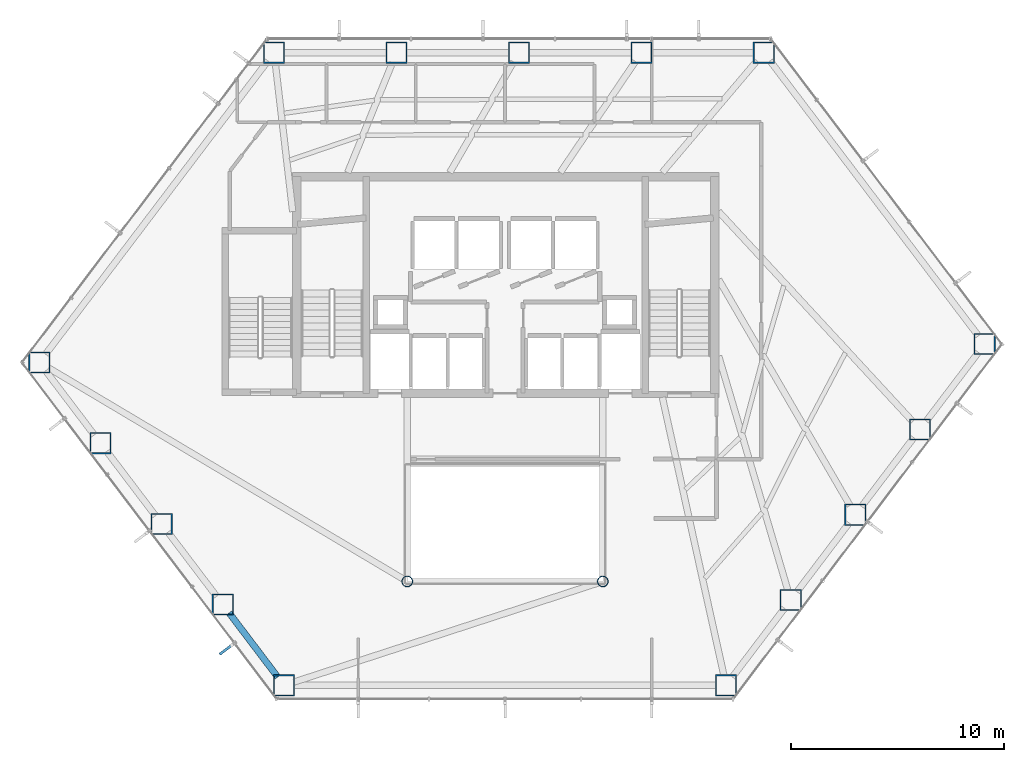
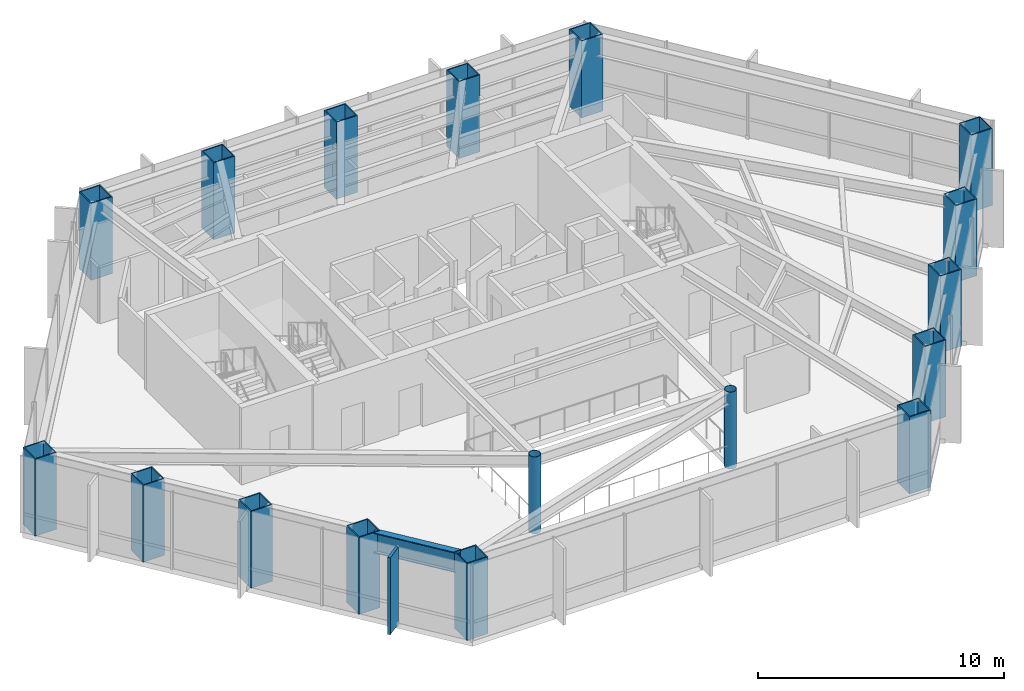
# One storey, part 1 of 25: 17 columns, 1 beam, 1 member, 1 element without a shape of its own.
"""IFC4 building model written with IfcOpenShell, lengths in metres."""

from ifc_helpers import new_model, si_unit, direction, frame, origin, origin_2d, place, context, subcontext, project, spatial, rectangle, hollow_rectangle, hollow_circle, i_section, extrude, material, layer, layer_set, material_profile, profile_set, type_object, element, aggregate, save


model = new_model("IFC4")

# Units and contexts
model_context = context("Model", 3, precision=1e-05, world=origin(), true_north=direction((0.0, 1.0)))
body_context = subcontext(model_context, "Body", "Model", "MODEL_VIEW")
ifc_project = project(units=[si_unit("LENGTHUNIT", "METRE"), si_unit("AREAUNIT", "SQUARE_METRE"), si_unit("VOLUMEUNIT", "CUBIC_METRE"), si_unit("PLANEANGLEUNIT", "RADIAN"), si_unit("MASSUNIT", "GRAM", prefix="KILO")], contexts=[model_context])

# Site, building, storey
site_placement = place(None, origin())
site = spatial("IfcSite", under=ifc_project, at=site_placement, CompositionType="ELEMENT")
building_placement = place(site_placement, origin())
building = spatial("IfcBuilding", under=site, at=building_placement, Name="Zarrinselat Tower", CompositionType="ELEMENT")
storey_placement = place(building_placement, frame((0.0, 0.0, 56.10009765625)))
storey = spatial("IfcBuildingStorey", under=building, at=storey_placement, Name="L13", CompositionType="ELEMENT", Elevation=56.10009765625)

# Columns
ifc_material_1 = material(Name="Steel S355J2", Category="steel")
ifc_material_profile_1 = material_profile(ifc_material_1, hollow_circle(Radius=0.25390625, WallThickness=0.02001953125, at=origin_2d()), Name="CHS 508x20")
ifc_profile_set_1 = profile_set([ifc_material_profile_1], Name="Steel S355J2")
column_type_1 = type_object("IfcColumnType", Name="COL-CHS508", PredefinedType="COLUMN", material=ifc_profile_set_1)
for number, where, z_axis, x_axis, name in (
    (1, (33.800048828125, 24.39990234375, 0.0), (0.0, 0.0, 1.0), (1.0, 0.0, 0.0), "L13 Atrium Corner Column 1"),
    (2, (43.0, 24.39990234375, 0.0), (0.0, 0.0, 1.0), (1.0, 0.0, 0.0), "L13 Atrium Corner Column 2"),
):
    element("IfcColumn", number, at=place(storey_placement, frame(where, z_axis=z_axis, x_axis=x_axis)), inside=storey, type_object=column_type_1, Name=name, PredefinedType="COLUMN", context=body_context, shape_type="SweptSolid", body=[
        extrude(hollow_circle(Radius=0.25390625, WallThickness=0.02001953125, at=origin_2d()), origin(), (0.0, 0.0, 1.0), 3.81982421875),
    ])
ifc_material_2 = material(Name="Steel S460M", Category="steel")
ifc_material_profile_2 = material_profile(ifc_material_2, hollow_rectangle(XDim=1.0, YDim=1.0, WallThickness=0.050048828125, at=origin_2d()), Name="SHS 1000x1000x50")
ifc_profile_set_2 = profile_set([ifc_material_profile_2], Name="Steel S460M")
column_type_2 = type_object("IfcColumnType", Name="COL-SHS1000", PredefinedType="COLUMN", material=ifc_profile_set_2)
for number, where, z_axis, x_axis, name in (
    (3, (50.57421875, 49.27783203125, 0.0), (0.0, 0.0, 1.0), (1.0, 0.0, 0.0), "L13 Framed-Tube Column T01"),
    (4, (44.814208984375, 49.27783203125, 0.0), (0.0, 0.0, 1.0), (1.0, 0.0, 0.0), "L13 Framed-Tube Column T02"),
    (5, (39.05419921875, 49.27783203125, 0.0), (0.0, 0.0, 1.0), (1.0, 0.0, 0.0), "L13 Framed-Tube Column T03"),
    (6, (33.29443359375, 49.27783203125, 0.0), (0.0, 0.0, 1.0), (1.0, 0.0, 0.0), "L13 Framed-Tube Column T04"),
    (7, (27.534423828125, 49.27783203125, 0.0), (0.0, 0.0, 1.0), (1.0, 0.0, 0.0), "L13 Framed-Tube Column T05"),
    (8, (16.492431640625, 34.7021484375, 0.0), (0.0, 0.0, 1.0), (1.0, 0.0, 0.0), "L13 Framed-Tube Column T06"),
    (9, (19.369384765625, 30.904541015625, 0.0), (0.0, 0.0, 1.0), (1.0, 0.0, 0.0), "L13 Framed-Tube Column T07"),
    (10, (22.246337890625, 27.10693359375, 0.0), (0.0, 0.0, 1.0), (1.0, 0.0, 0.0), "L13 Framed-Tube Column T08"),
    (11, (25.123291015625, 23.309326171875, 0.0), (0.0, 0.0, 1.0), (1.0, 0.0, 0.0), "L13 Framed-Tube Column T09"),
    (12, (28.00048828125, 19.51171875, 0.0), (0.0, 0.0, 1.0), (1.0, 0.0, 0.0), "L13 Framed-Tube Column T10"),
    (13, (48.799560546875, 19.51171875, 0.0), (0.0, 0.0, 1.0), (1.0, 0.0, 0.0), "L13 Framed-Tube Column T11"),
    (14, (51.840087890625, 23.525146484375, 0.0), (0.0, 0.0, 1.0), (1.0, 0.0, 0.0), "L13 Framed-Tube Column T12"),
    (15, (54.880615234375, 27.538818359375, 0.0), (0.0, 0.0, 1.0), (1.0, 0.0, 0.0), "L13 Framed-Tube Column T13"),
    (16, (57.92138671875, 31.552490234375, 0.0), (0.0, 0.0, 1.0), (1.0, 0.0, 0.0), "L13 Framed-Tube Column T14"),
    (17, (60.9619140625, 35.56591796875, 0.0), (0.0, 0.0, 1.0), (1.0, 0.0, 0.0), "L13 Framed-Tube Column T15"),
):
    element("IfcColumn", number, at=place(storey_placement, frame(where, z_axis=z_axis, x_axis=x_axis)), inside=storey, type_object=column_type_2, Name=name, PredefinedType="COLUMN", context=body_context, shape_type="SweptSolid", body=[
        extrude(hollow_rectangle(XDim=1.0, YDim=1.0, WallThickness=0.050048828125, at=origin_2d()), origin(), (0.0, 0.0, 1.0), 3.81982421875),
    ])

# Beam
ifc_material_3 = material(Name="Steel S460M", Category="steel")
ifc_material_profile_3 = material_profile(ifc_material_3, i_section(OverallWidth=0.302001953125, OverallDepth=1.008056640625, WebThickness=0.02099609375, FlangeThickness=0.0400390625, at=origin_2d()), Name="HEM 1000")
ifc_profile_set_3 = profile_set([ifc_material_profile_3], Name="Steel S460M")
beam_type = type_object("IfcBeamType", Name="BM-HEM1000", PredefinedType="BEAM", material=ifc_profile_set_3)
beam_placement = place(storey_placement, frame((25.418212890625, 22.92041015625, 3.31591796875), z_axis=(0.603839076561, -0.797106247384, 0.0), x_axis=(0.797106247384, 0.603839076561, 0.0)))
element("IfcBeam", 18, at=beam_placement, inside=storey, type_object=beam_type, Name="L13 Perimeter Spandrel Girder SP09", PredefinedType="BEAM", context=body_context, shape_type="SweptSolid", body=[
    extrude(i_section(OverallWidth=0.302001953125, OverallDepth=1.008056640625, WebThickness=0.02099609375, FlangeThickness=0.0400390625, at=origin_2d()), origin(), (0.0, 0.0, 1.0), 3.788330078125),
])

# Curtain wall, member
ifc_material_4 = material(Name="Extruded Aluminium Alloy EN AW-6063 T6", Category="aluminium")
ifc_layer = layer(ifc_material_4, 0.18505859375)
ifc_layer_set = layer_set([ifc_layer], Name="Extruded Aluminium Alloy EN AW-6063 T6")
curtain_wall_type = type_object("IfcCurtainWallType", Name="CWS-OFF", PredefinedType="NOTDEFINED", material=ifc_layer_set)
curtain_wall_placement = place(storey_placement, origin())
curtain_wall = element("IfcCurtainWall", 19, at=curtain_wall_placement, inside=storey, type_object=curtain_wall_type, Name="L13 Unitised Curtain Wall CW-L13-E03", PredefinedType="NOTDEFINED")
ifc_material_5 = material(Name="Honed Cream Travertine Stone", Category="masonry")
ifc_material_profile_4 = material_profile(ifc_material_5, rectangle(XDim=0.1201171875, YDim=0.85009765625, at=origin_2d()), Name="FIN 850x120")
ifc_profile_set_4 = profile_set([ifc_material_profile_4], Name="Honed Cream Travertine Stone")
member_type = type_object("IfcMemberType", Name="MEM-STONE-FIN", PredefinedType="USERDEFINED", material=ifc_profile_set_4)
member_placement = place(storey_placement, frame((25.310546875, 21.22412109375, 0.0), z_axis=(0.0, 0.0, 1.0), x_axis=(-0.603861563254, 0.797089212337, 0.0)))
member = element("IfcMember", 20, at=member_placement, type_object=member_type, Name="L13 Stone Shading Fin CW-L13-E03-05", ObjectType="FIN", PredefinedType="USERDEFINED", context=body_context, shape_type="SweptSolid", body=[
    extrude(rectangle(XDim=0.1201171875, YDim=0.85009765625, at=origin_2d()), origin(), (0.0, 0.0, 1.0), 3.81982421875),
])
aggregate(curtain_wall, [member])

save(model, "model.ifc")
